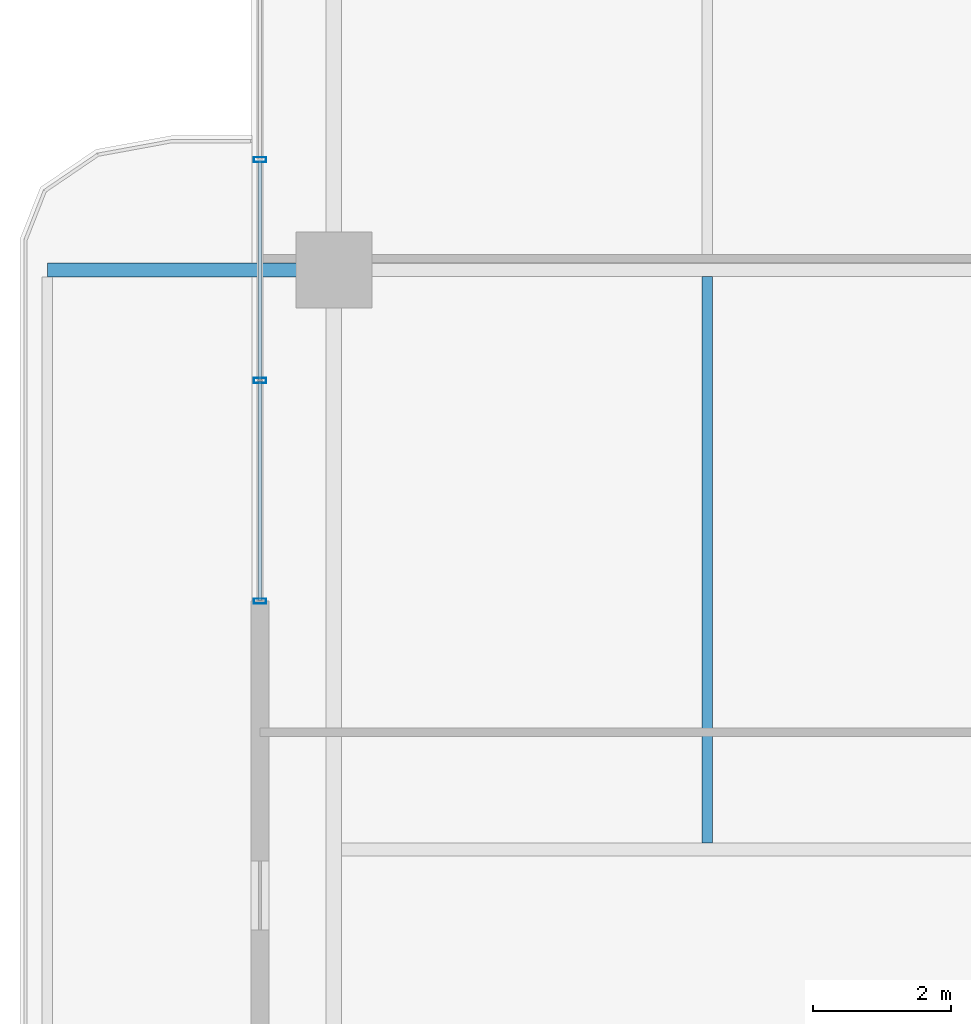
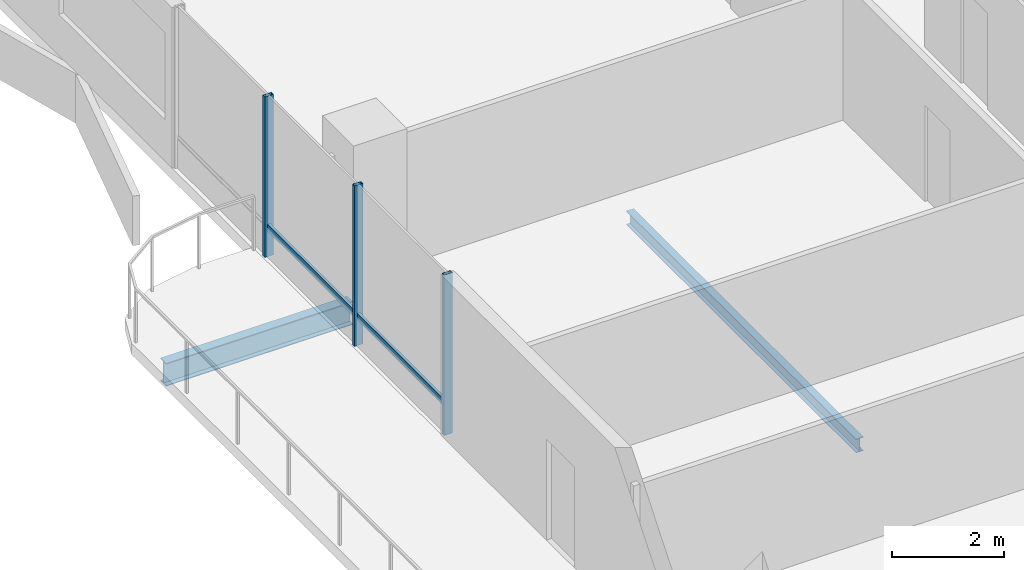
# One storey, part 4 of 24: 5 members, 2 beams, 1 element without a shape of its own.
"""IFC4 building model written with IfcOpenShell, lengths in metres."""

from ifc_helpers import new_model, si_unit, direction, frame, origin, origin_2d, place, context, subcontext, project, spatial, hollow_rectangle, i_section, extrude, material, layer, layer_set, material_profile, profile_set, type_object, element, aggregate, save


model = new_model("IFC4")

# Units and contexts
model_context = context("Model", 3, precision=1e-05, world=origin(), true_north=direction((0.0, 1.0)))
body_context = subcontext(model_context, "Body", "Model", "MODEL_VIEW")
ifc_project = project(units=[si_unit("LENGTHUNIT", "METRE"), si_unit("AREAUNIT", "SQUARE_METRE"), si_unit("VOLUMEUNIT", "CUBIC_METRE"), si_unit("PLANEANGLEUNIT", "RADIAN"), si_unit("MASSUNIT", "GRAM", prefix="KILO")], contexts=[model_context])

# Site, building, storey
site_placement = place(None, origin())
site = spatial("IfcSite", under=ifc_project, at=site_placement, CompositionType="ELEMENT")
building_placement = place(site_placement, origin())
building = spatial("IfcBuilding", under=site, at=building_placement, Name="Belovzor Exchange Tower", CompositionType="ELEMENT")
storey_placement = place(building_placement, frame((0.0, 0.0, 222.449951171875)))
storey = spatial("IfcBuildingStorey", under=building, at=storey_placement, Name="L55", CompositionType="ELEMENT", Elevation=222.449951171875)

# Beams
ifc_material_1 = material(Name="Steel S355", Category="steel")
ifc_material_profile_1 = material_profile(ifc_material_1, i_section(OverallWidth=0.199951171875, OverallDepth=0.5, WebThickness=0.01025390625, FlangeThickness=0.01611328125, at=origin_2d()))
ifc_profile_set_1 = profile_set([ifc_material_profile_1], Name="Steel S355")
beam_type_1 = type_object("IfcBeamType", Name="Planted Balcony Cantilever Beam IPE 500", PredefinedType="BEAM", material=ifc_profile_set_1)
beam_1_placement = place(storey_placement, frame((2.697021484375, 28.800048828125, -0.5), z_axis=(-1.0, 0.0, 0.0), x_axis=(0.0, -1.0, 0.0)))
element("IfcBeam", 1, at=beam_1_placement, inside=storey, type_object=beam_type_1, Name="BC-500 Planted Balcony Cantilever Beam IPE 500", PredefinedType="BEAM", context=body_context, shape_type="SweptSolid", body=[
    extrude(i_section(OverallWidth=0.199951171875, OverallDepth=0.5, WebThickness=0.01025390625, FlangeThickness=0.01611328125, at=origin_2d()), origin(), (0.0, 0.0, 1.0), 3.85009765625),
])
ifc_material_2 = material(Name="Steel S355", Category="steel")
ifc_material_profile_2 = material_profile(ifc_material_2, i_section(OverallWidth=0.14990234375, OverallDepth=0.300048828125, WebThickness=0.007080078125, FlangeThickness=0.0107421875, at=origin_2d()))
ifc_profile_set_2 = profile_set([ifc_material_profile_2], Name="Steel S355")
beam_type_2 = type_object("IfcBeamType", Name="Secondary Trim Floor Joist IPE 300", PredefinedType="BEAM", material=ifc_profile_set_2)
beam_2_placement = place(storey_placement, frame((8.4130859375, 20.4951171875, -0.39990234375), z_axis=(0.0, 1.0, 0.0), x_axis=(-1.0, 0.0, 0.0)))
element("IfcBeam", 2, at=beam_2_placement, inside=storey, type_object=beam_type_2, Name="FJ-300 Secondary Trim Floor Joist IPE 300", PredefinedType="BEAM", context=body_context, shape_type="SweptSolid", body=[
    extrude(i_section(OverallWidth=0.14990234375, OverallDepth=0.300048828125, WebThickness=0.007080078125, FlangeThickness=0.0107421875, at=origin_2d()), origin(), (0.0, 0.0, 1.0), 8.2099609375),
])

# Curtain wall, members
ifc_material_3 = material(Name="Anodised Aluminium Framing", Category="aluminium")
ifc_layer = layer(ifc_material_3, 0.179931640625)
ifc_layer_set = layer_set([ifc_layer], Name="Anodised Aluminium Framing")
curtain_wall_type = type_object("IfcCurtainWallType", Name="Recessed Loggia Low-Iron Triple-Glazed Curtain Wall", PredefinedType="NOTDEFINED", material=ifc_layer_set)
curtain_wall_placement = place(storey_placement, origin())
curtain_wall = element("IfcCurtainWall", 3, at=curtain_wall_placement, inside=storey, type_object=curtain_wall_type, Name="CW3 Recessed Loggia Low-Iron Triple-Glazed Curtain Wall L55", PredefinedType="NOTDEFINED")
ifc_material_4 = material(Name="Steel S355", Category="steel")
ifc_material_profile_3 = material_profile(ifc_material_4, hollow_rectangle(XDim=0.074951171875, YDim=0.179931640625, WallThickness=0.0048828125, at=origin_2d()))
ifc_profile_set_3 = profile_set([ifc_material_profile_3], Name="Steel S355")
member_type_1 = type_object("IfcMemberType", Name="Thermally Broken Curtain Wall Mullion 180x75", PredefinedType="MULLION", material=ifc_profile_set_3)
member_1_placement = place(storey_placement, frame((1.929931640625, 24.0, 0.0), z_axis=(0.0, 0.0, 1.0), x_axis=(0.0, 1.0, 0.0)))
member_1 = element("IfcMember", 4, at=member_1_placement, type_object=member_type_1, Name="CW-M180 Curtain Wall Mullion 1", PredefinedType="MULLION", context=body_context, shape_type="SweptSolid", body=[
    extrude(hollow_rectangle(XDim=0.074951171875, YDim=0.179931640625, WallThickness=0.0048828125, at=origin_2d()), origin(), (0.0, 0.0, 1.0), 3.5),
])
member_2_placement = place(storey_placement, frame((1.929931640625, 27.199951171875, 0.0), z_axis=(0.0, 0.0, 1.0), x_axis=(0.0, 1.0, 0.0)))
member_2 = element("IfcMember", 5, at=member_2_placement, type_object=member_type_1, Name="CW-M180 Curtain Wall Mullion 2", PredefinedType="MULLION", context=body_context, shape_type="SweptSolid", body=[
    extrude(hollow_rectangle(XDim=0.074951171875, YDim=0.179931640625, WallThickness=0.0048828125, at=origin_2d()), origin(), (0.0, 0.0, 1.0), 3.5),
])
member_3_placement = place(storey_placement, frame((1.929931640625, 30.39990234375, 0.0), z_axis=(0.0, 0.0, 1.0), x_axis=(0.0, 1.0, 0.0)))
member_3 = element("IfcMember", 6, at=member_3_placement, type_object=member_type_1, Name="CW-M180 Curtain Wall Mullion 3", PredefinedType="MULLION", context=body_context, shape_type="SweptSolid", body=[
    extrude(hollow_rectangle(XDim=0.074951171875, YDim=0.179931640625, WallThickness=0.0048828125, at=origin_2d()), origin(), (0.0, 0.0, 1.0), 3.5),
])
ifc_material_5 = material(Name="Steel S355", Category="steel")
ifc_material_profile_4 = material_profile(ifc_material_5, hollow_rectangle(XDim=0.06005859375, YDim=0.14990234375, WallThickness=0.00390625, at=origin_2d()))
ifc_profile_set_4 = profile_set([ifc_material_profile_4], Name="Steel S355")
member_type_2 = type_object("IfcMemberType", Name="Thermally Broken Curtain Wall Transom 150x60", PredefinedType="USERDEFINED", material=ifc_profile_set_4)
member_4_placement = place(storey_placement, frame((1.929931640625, 24.008056640625, 0.630126953125), z_axis=(0.0, 1.0, 0.0), x_axis=(-1.0, 0.0, 0.0)))
member_4 = element("IfcMember", 7, at=member_4_placement, type_object=member_type_2, Name="CW-T150 Curtain Wall Transom 1", ObjectType="TRANSOM", PredefinedType="USERDEFINED", context=body_context, shape_type="SweptSolid", body=[
    extrude(hollow_rectangle(XDim=0.06005859375, YDim=0.14990234375, WallThickness=0.00390625, at=origin_2d()), origin(), (0.0, 0.0, 1.0), 3.183837890625),
])
member_5_placement = place(storey_placement, frame((1.929931640625, 27.2080078125, 0.630126953125), z_axis=(0.0, 1.0, 0.0), x_axis=(-1.0, 0.0, 0.0)))
member_5 = element("IfcMember", 8, at=member_5_placement, type_object=member_type_2, Name="CW-T150 Curtain Wall Transom 2", ObjectType="TRANSOM", PredefinedType="USERDEFINED", context=body_context, shape_type="SweptSolid", body=[
    extrude(hollow_rectangle(XDim=0.06005859375, YDim=0.14990234375, WallThickness=0.00390625, at=origin_2d()), origin(), (0.0, 0.0, 1.0), 3.18408203125),
])
aggregate(curtain_wall, [member_1, member_2, member_3, member_4, member_5])

save(model, "model.ifc")
